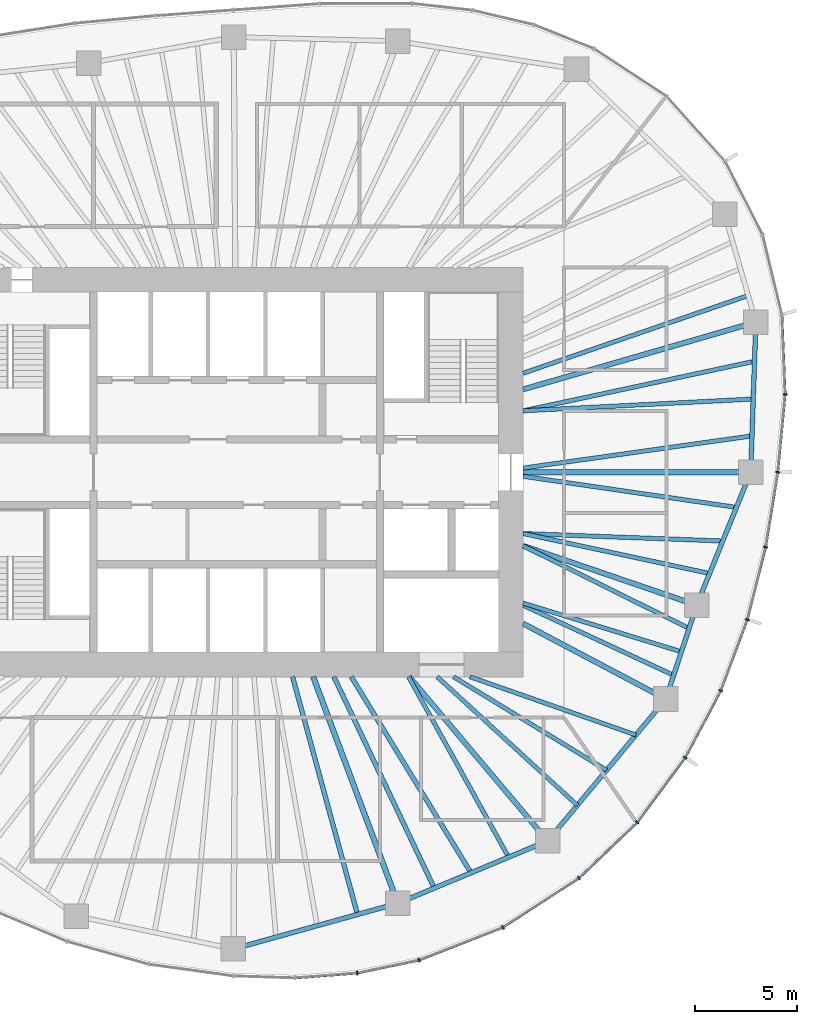
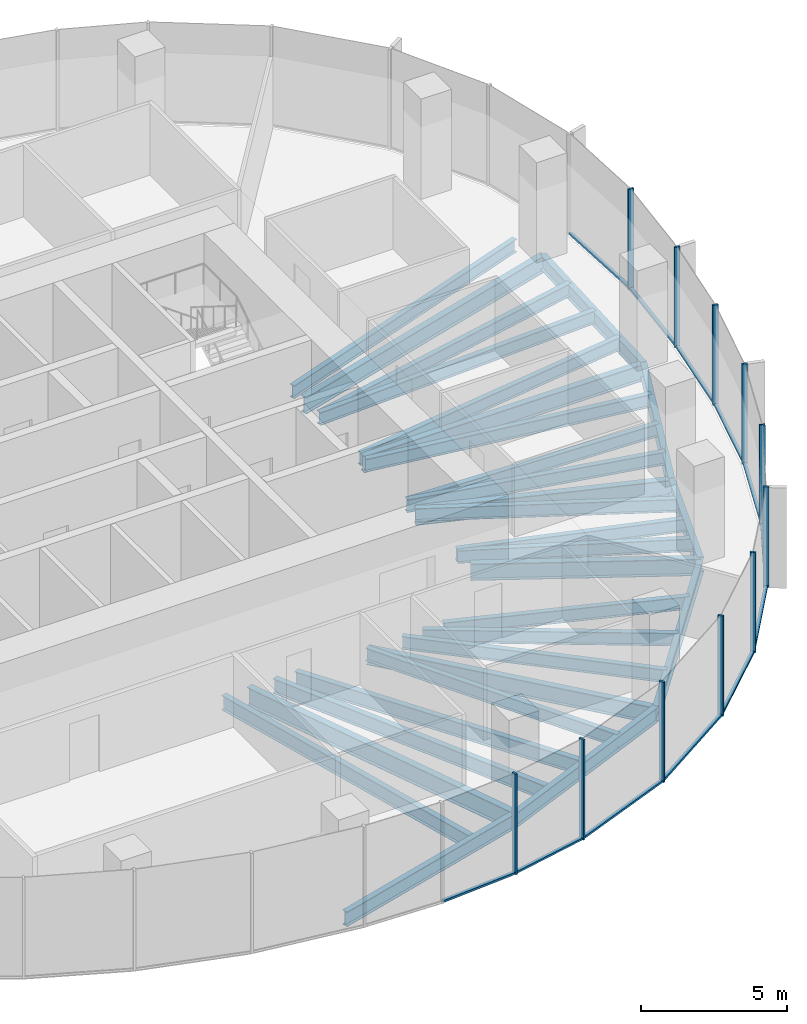
# One storey, part 4 of 11: 29 beams, 23 members, 6 elements without a shape of their own.
"""IFC4 building model written with IfcOpenShell, lengths in metres."""

from ifc_helpers import new_model, si_unit, direction, frame, origin, origin_2d, place, context, subcontext, project, spatial, rectangle, i_section, extrude, material, material_profile, profile_set, type_object, element, aggregate, save


model = new_model("IFC4")

# Units and contexts
model_context = context("Model", 3, precision=1e-05, world=origin(), true_north=direction((0.0, 1.0)))
body_context = subcontext(model_context, "Body", "Model", "MODEL_VIEW")
ifc_project = project(units=[si_unit("LENGTHUNIT", "METRE"), si_unit("AREAUNIT", "SQUARE_METRE"), si_unit("VOLUMEUNIT", "CUBIC_METRE"), si_unit("PLANEANGLEUNIT", "RADIAN"), si_unit("MASSUNIT", "GRAM", prefix="KILO")], contexts=[model_context])

# Site, building, storey
site_placement = place(None, origin())
site = spatial("IfcSite", under=ifc_project, at=site_placement, CompositionType="ELEMENT")
building_placement = place(site_placement, origin())
building = spatial("IfcBuilding", under=site, at=building_placement, Name="Ghaith Harvest Tower", CompositionType="ELEMENT")
storey_placement = place(building_placement, frame((0.0, 0.0, 241.0)))
storey = spatial("IfcBuildingStorey", under=building, at=storey_placement, Name="L53", CompositionType="ELEMENT", Elevation=241.0)

# Curtain wall, members
ifc_material_1 = material(Name="Black anodised aluminium and fritted glass", Category="aluminium")
curtain_wall_type = type_object("IfcCurtainWallType", Name="CW-H CURTAIN WALL", PredefinedType="NOTDEFINED", material=ifc_material_1)
curtain_wall_1_placement = place(storey_placement, origin())
curtain_wall_1 = element("IfcCurtainWall", 1, at=curtain_wall_1_placement, inside=storey, type_object=curtain_wall_type, Name="Curtain wall CW-H bay 01 L53", PredefinedType="NOTDEFINED")
ifc_material_2 = material(Name="Aluminium, black anodised", Category="aluminium")
ifc_material_profile_1 = material_profile(ifc_material_2, rectangle(XDim=0.080078125, YDim=0.199951171875, at=origin_2d()), Name="CW-H MULLION 80x200")
ifc_profile_set_1 = profile_set([ifc_material_profile_1], Name="Aluminium, black anodised")
member_type_1 = type_object("IfcMemberType", Name="CW-H MULLION 80x200", PredefinedType="MULLION", material=ifc_profile_set_1)
member_1_placement = place(storey_placement, frame((26.445068359375, 0.0, 0.0), z_axis=(0.0, 0.0, 1.0), x_axis=(0.126567624553, 0.991957981174, 0.0)))
member_1 = element("IfcMember", 2, at=member_1_placement, type_object=member_type_1, Name="CW-H mullion 1 bay 01 L53", PredefinedType="MULLION", context=body_context, shape_type="SweptSolid", body=[
    extrude(rectangle(XDim=0.080078125, YDim=0.199951171875, at=origin_2d()), origin(), (0.0, 0.0, 1.0), 4.199951171875),
])
member_2_placement = place(storey_placement, frame((26.804443359375, 3.7958984375, 0.0), z_axis=(0.0, 0.0, 1.0), x_axis=(0.026142797814, 0.999658218654, 0.0)))
member_2 = element("IfcMember", 3, at=member_2_placement, type_object=member_type_1, Name="CW-H mullion 2 bay 01 L53", PredefinedType="MULLION", context=body_context, shape_type="SweptSolid", body=[
    extrude(rectangle(XDim=0.080078125, YDim=0.199951171875, at=origin_2d()), origin(), (0.0, 0.0, 1.0), 4.199951171875),
])

# Curtain wall, member
curtain_wall_2_placement = place(storey_placement, origin())
curtain_wall_2 = element("IfcCurtainWall", 4, at=curtain_wall_2_placement, inside=storey, type_object=curtain_wall_type, Name="Curtain wall CW-H bay 16 L53", PredefinedType="NOTDEFINED")
member_3_placement = place(storey_placement, frame((5.893310546875, -24.48291015625, 0.0), z_axis=(0.0, 0.0, 1.0), x_axis=(0.989849191496, 0.142121701704, 0.0)))
member_3 = element("IfcMember", 5, at=member_3_placement, type_object=member_type_1, Name="CW-H mullion 3 bay 16 L53", PredefinedType="MULLION", context=body_context, shape_type="SweptSolid", body=[
    extrude(rectangle(XDim=0.080078125, YDim=0.199951171875, at=origin_2d()), origin(), (0.0, 0.0, 1.0), 4.199951171875),
])

# Curtain wall, members
curtain_wall_3_placement = place(storey_placement, origin())
curtain_wall_3 = element("IfcCurtainWall", 6, at=curtain_wall_3_placement, inside=storey, type_object=curtain_wall_type, Name="Curtain wall CW-H bay 17 L53", PredefinedType="NOTDEFINED")
member_4_placement = place(storey_placement, frame((8.916015625, -23.85009765625, 0.0), z_axis=(0.0, 0.0, 1.0), x_axis=(0.954029934434, 0.299711334793, 0.0)))
member_4 = element("IfcMember", 7, at=member_4_placement, type_object=member_type_1, Name="CW-H mullion 1 bay 17 L53", PredefinedType="MULLION", context=body_context, shape_type="SweptSolid", body=[
    extrude(rectangle(XDim=0.080078125, YDim=0.199951171875, at=origin_2d()), origin(), (0.0, 0.0, 1.0), 4.199951171875),
])
member_5_placement = place(storey_placement, frame((13.010009765625, -22.2470703125, 0.0), z_axis=(0.0, 0.0, 1.0), x_axis=(0.889568363425, 0.456802065225, 0.0)))
member_5 = element("IfcMember", 8, at=member_5_placement, type_object=member_type_1, Name="CW-H mullion 2 bay 17 L53", PredefinedType="MULLION", context=body_context, shape_type="SweptSolid", body=[
    extrude(rectangle(XDim=0.080078125, YDim=0.199951171875, at=origin_2d()), origin(), (0.0, 0.0, 1.0), 4.199951171875),
])

curtain_wall_4_placement = place(storey_placement, origin())
curtain_wall_4 = element("IfcCurtainWall", 9, at=curtain_wall_4_placement, inside=storey, type_object=curtain_wall_type, Name="Curtain wall CW-H bay 18 L53", PredefinedType="NOTDEFINED")
member_6_placement = place(storey_placement, frame((16.72900390625, -19.838134765625, 0.0), z_axis=(0.0, 0.0, 1.0), x_axis=(0.78784554071, 0.615872879727, 0.0)))
member_6 = element("IfcMember", 10, at=member_6_placement, type_object=member_type_1, Name="CW-H mullion 1 bay 18 L53", PredefinedType="MULLION", context=body_context, shape_type="SweptSolid", body=[
    extrude(rectangle(XDim=0.080078125, YDim=0.199951171875, at=origin_2d()), origin(), (0.0, 0.0, 1.0), 4.199951171875),
])
member_7_placement = place(storey_placement, frame((19.57421875, -17.11572265625, 0.0), z_axis=(0.0, 0.0, 1.0), x_axis=(0.661614965695, 0.749843741835, 0.0)))
member_7 = element("IfcMember", 11, at=member_7_placement, type_object=member_type_1, Name="CW-H mullion 2 bay 18 L53", PredefinedType="MULLION", context=body_context, shape_type="SweptSolid", body=[
    extrude(rectangle(XDim=0.080078125, YDim=0.199951171875, at=origin_2d()), origin(), (0.0, 0.0, 1.0), 4.199951171875),
])

curtain_wall_5_placement = place(storey_placement, origin())
curtain_wall_5 = element("IfcCurtainWall", 12, at=curtain_wall_5_placement, inside=storey, type_object=curtain_wall_type, Name="Curtain wall CW-H bay 19 L53", PredefinedType="NOTDEFINED")
member_8_placement = place(storey_placement, frame((21.922607421875, -13.951904296875, 0.0), z_axis=(0.0, 0.0, 1.0), x_axis=(0.535827198032, 0.844327669717, 0.0)))
member_8 = element("IfcMember", 13, at=member_8_placement, type_object=member_type_1, Name="CW-H mullion 1 bay 19 L53", PredefinedType="MULLION", context=body_context, shape_type="SweptSolid", body=[
    extrude(rectangle(XDim=0.080078125, YDim=0.199951171875, at=origin_2d()), origin(), (0.0, 0.0, 1.0), 4.199951171875),
])
member_9_placement = place(storey_placement, frame((23.658203125, -10.680419921875, 0.0), z_axis=(0.0, 0.0, 1.0), x_axis=(0.410429862351, 0.911892169114, 0.0)))
member_9 = element("IfcMember", 14, at=member_9_placement, type_object=member_type_1, Name="CW-H mullion 2 bay 19 L53", PredefinedType="MULLION", context=body_context, shape_type="SweptSolid", body=[
    extrude(rectangle(XDim=0.080078125, YDim=0.199951171875, at=origin_2d()), origin(), (0.0, 0.0, 1.0), 4.199951171875),
])

curtain_wall_6_placement = place(storey_placement, origin())
curtain_wall_6 = element("IfcCurtainWall", 15, at=curtain_wall_6_placement, inside=storey, type_object=curtain_wall_type, Name="Curtain wall CW-H bay 20 L53", PredefinedType="NOTDEFINED")
member_10_placement = place(storey_placement, frame((24.955810546875, -7.212890625, 0.0), z_axis=(0.0, 0.0, 1.0), x_axis=(0.298441625478, 0.954427889462, 0.0)))
member_10 = element("IfcMember", 16, at=member_10_placement, type_object=member_type_1, Name="CW-H mullion 1 bay 20 L53", PredefinedType="MULLION", context=body_context, shape_type="SweptSolid", body=[
    extrude(rectangle(XDim=0.080078125, YDim=0.199951171875, at=origin_2d()), origin(), (0.0, 0.0, 1.0), 4.199951171875),
])
member_11_placement = place(storey_placement, frame((25.85302734375, -3.6611328125, 0.0), z_axis=(0.0, 0.0, 1.0), x_axis=(0.202192370647, 0.979345825157, 0.0)))
member_11 = element("IfcMember", 17, at=member_11_placement, type_object=member_type_1, Name="CW-H mullion 2 bay 20 L53", PredefinedType="MULLION", context=body_context, shape_type="SweptSolid", body=[
    extrude(rectangle(XDim=0.080078125, YDim=0.199951171875, at=origin_2d()), origin(), (0.0, 0.0, 1.0), 4.199951171875),
])

# Member
ifc_material_3 = material(Name="Aluminium, black anodised", Category="aluminium")
ifc_material_profile_2 = material_profile(ifc_material_3, rectangle(XDim=0.1298828125, YDim=0.080078125, at=origin_2d()), Name="CW-H TRANSOM 130x80")
ifc_profile_set_2 = profile_set([ifc_material_profile_2], Name="Aluminium, black anodised")
member_type_2 = type_object("IfcMemberType", Name="CW-H TRANSOM 130x80", PredefinedType="USERDEFINED", material=ifc_profile_set_2)
member_12_placement = place(storey_placement, frame((26.44873046875, 0.039794921875, 0.0400390625), z_axis=(0.094309089207, 0.995542965267, 0.0), x_axis=(-0.995542965267, 0.094309089207, 0.0)))
member_12 = element("IfcMember", 18, at=member_12_placement, type_object=member_type_2, Name="CW-H transom 1 bay 01 L53", ObjectType="TRANSOM", PredefinedType="USERDEFINED", context=body_context, shape_type="SweptSolid", body=[
    extrude(rectangle(XDim=0.1298828125, YDim=0.080078125, at=origin_2d()), origin(), (0.0, 0.0, 1.0), 3.73291015625),
])

member_13_placement = place(storey_placement, frame((26.802978515625, 3.8359375, 0.0400390625), z_axis=(-0.040492641284, 0.999179836667, 0.0), x_axis=(-0.999179836667, -0.040492641284, 0.0)))
member_13 = element("IfcMember", 19, at=member_13_placement, type_object=member_type_2, Name="CW-H transom 2 bay 01 L53", ObjectType="TRANSOM", PredefinedType="USERDEFINED", context=body_context, shape_type="SweptSolid", body=[
    extrude(rectangle(XDim=0.1298828125, YDim=0.080078125, at=origin_2d()), origin(), (0.0, 0.0, 1.0), 3.82861328125),
])

aggregate(curtain_wall_1, [member_1, member_12, member_2, member_13])

member_14_placement = place(storey_placement, frame((2.8876953125, -24.71826171875, 0.0400390625), z_axis=(0.996949781933, 0.078045706505, 0.0), x_axis=(-0.078045706505, 0.996949781933, 0.0)))
member_14 = element("IfcMember", 20, at=member_14_placement, type_object=member_type_2, Name="CW-H transom 2 bay 16 L53", ObjectType="TRANSOM", PredefinedType="USERDEFINED", context=body_context, shape_type="SweptSolid", body=[
    extrude(rectangle(XDim=0.1298828125, YDim=0.080078125, at=origin_2d()), origin(), (0.0, 0.0, 1.0), 2.974853515625),
])

member_15_placement = place(storey_placement, frame((5.932373046875, -24.474609375, 0.0400390625), z_axis=(0.978797058213, 0.204832416461, 0.0), x_axis=(-0.204832416461, 0.978797058213, 0.0)))
member_15 = element("IfcMember", 21, at=member_15_placement, type_object=member_type_2, Name="CW-H transom 3 bay 16 L53", ObjectType="TRANSOM", PredefinedType="USERDEFINED", context=body_context, shape_type="SweptSolid", body=[
    extrude(rectangle(XDim=0.1298828125, YDim=0.080078125, at=origin_2d()), origin(), (0.0, 0.0, 1.0), 3.00830078125),
])

aggregate(curtain_wall_2, [member_14, member_3, member_15])

member_16_placement = place(storey_placement, frame((8.953369140625, -23.835693359375, 0.0400390625), z_axis=(0.931147615871, 0.364642451529, 0.0), x_axis=(-0.364642451529, 0.931147615871, 0.0)))
member_16 = element("IfcMember", 22, at=member_16_placement, type_object=member_type_2, Name="CW-H transom 1 bay 17 L53", ObjectType="TRANSOM", PredefinedType="USERDEFINED", context=body_context, shape_type="SweptSolid", body=[
    extrude(rectangle(XDim=0.1298828125, YDim=0.080078125, at=origin_2d()), origin(), (0.0, 0.0, 1.0), 4.31640625),
])

member_17_placement = place(storey_placement, frame((13.04345703125, -22.225341796875, 0.0400390625), z_axis=(0.839306610985, 0.543658360331, 0.0), x_axis=(-0.543658360331, 0.839306610985, 0.0)))
member_17 = element("IfcMember", 23, at=member_17_placement, type_object=member_type_2, Name="CW-H transom 2 bay 17 L53", ObjectType="TRANSOM", PredefinedType="USERDEFINED", context=body_context, shape_type="SweptSolid", body=[
    extrude(rectangle(XDim=0.1298828125, YDim=0.080078125, at=origin_2d()), origin(), (0.0, 0.0, 1.0), 4.35107421875),
])

aggregate(curtain_wall_3, [member_4, member_16, member_5, member_17])

member_18_placement = place(storey_placement, frame((16.7578125, -19.810546875, 0.0400390625), z_axis=(0.722533278657, 0.691336141998, 0.0), x_axis=(-0.691336141998, 0.722533278657, 0.0)))
member_18 = element("IfcMember", 24, at=member_18_placement, type_object=member_type_2, Name="CW-H transom 1 bay 18 L53", ObjectType="TRANSOM", PredefinedType="USERDEFINED", context=body_context, shape_type="SweptSolid", body=[
    extrude(rectangle(XDim=0.1298828125, YDim=0.080078125, at=origin_2d()), origin(), (0.0, 0.0, 1.0), 3.858154296875),
])

member_19_placement = place(storey_placement, frame((19.59814453125, -17.083740234375, 0.0400390625), z_axis=(0.595995597074, 0.802987701194, 0.0), x_axis=(-0.802987701194, 0.595995597074, 0.0)))
member_19 = element("IfcMember", 25, at=member_19_placement, type_object=member_type_2, Name="CW-H transom 2 bay 18 L53", ObjectType="TRANSOM", PredefinedType="USERDEFINED", context=body_context, shape_type="SweptSolid", body=[
    extrude(rectangle(XDim=0.1298828125, YDim=0.080078125, at=origin_2d()), origin(), (0.0, 0.0, 1.0), 3.8603515625),
])

aggregate(curtain_wall_4, [member_6, member_18, member_7, member_19])

member_20_placement = place(storey_placement, frame((21.94140625, -13.91650390625, 0.0400390625), z_axis=(0.468646057757, 0.883386026915, 0.0), x_axis=(-0.883386026915, 0.468646057757, 0.0)))
member_20 = element("IfcMember", 26, at=member_20_placement, type_object=member_type_2, Name="CW-H transom 1 bay 19 L53", ObjectType="TRANSOM", PredefinedType="USERDEFINED", context=body_context, shape_type="SweptSolid", body=[
    extrude(rectangle(XDim=0.1298828125, YDim=0.080078125, at=origin_2d()), origin(), (0.0, 0.0, 1.0), 3.623291015625),
])

member_21_placement = place(storey_placement, frame((23.672119140625, -10.64306640625, 0.0400390625), z_axis=(0.350510368091, 0.936558851253, 0.0), x_axis=(-0.936558851253, 0.350510368091, 0.0)))
member_21 = element("IfcMember", 27, at=member_21_placement, type_object=member_type_2, Name="CW-H transom 2 bay 19 L53", ObjectType="TRANSOM", PredefinedType="USERDEFINED", context=body_context, shape_type="SweptSolid", body=[
    extrude(rectangle(XDim=0.1298828125, YDim=0.080078125, at=origin_2d()), origin(), (0.0, 0.0, 1.0), 3.62255859375),
])

aggregate(curtain_wall_5, [member_8, member_20, member_9, member_21])

member_22_placement = place(storey_placement, frame((24.965576171875, -7.174072265625, 0.0400390625), z_axis=(0.244939588347, 0.969538342749, 0.0), x_axis=(-0.969538342749, 0.244939588347, 0.0)))
member_22 = element("IfcMember", 28, at=member_22_placement, type_object=member_type_2, Name="CW-H transom 1 bay 20 L53", ObjectType="TRANSOM", PredefinedType="USERDEFINED", context=body_context, shape_type="SweptSolid", body=[
    extrude(rectangle(XDim=0.1298828125, YDim=0.080078125, at=origin_2d()), origin(), (0.0, 0.0, 1.0), 3.583251953125),
])

member_23_placement = place(storey_placement, frame((25.859375, -3.62158203125, 0.0400390625), z_axis=(0.159661845696, 0.987171765717, 0.0), x_axis=(-0.987171765717, 0.159661845696, 0.0)))
member_23 = element("IfcMember", 29, at=member_23_placement, type_object=member_type_2, Name="CW-H transom 2 bay 20 L53", ObjectType="TRANSOM", PredefinedType="USERDEFINED", context=body_context, shape_type="SweptSolid", body=[
    extrude(rectangle(XDim=0.1298828125, YDim=0.080078125, at=origin_2d()), origin(), (0.0, 0.0, 1.0), 3.628662109375),
])

aggregate(curtain_wall_6, [member_10, member_22, member_11, member_23])

# Beams
ifc_material_4 = material(Name="Steel ASTM A992 Grade 50", Category="steel")
ifc_material_profile_3 = material_profile(ifc_material_4, i_section(OverallWidth=0.22900390625, OverallDepth=0.612060546875, WebThickness=0.011962890625, FlangeThickness=0.01953125, at=origin_2d()), Name="W610X125")
ifc_profile_set_3 = profile_set([ifc_material_profile_3], Name="Steel ASTM A992 Grade 50")
beam_type_1 = type_object("IfcBeamType", Name="E610-125 W610X125", PredefinedType="SPANDREL", material=ifc_profile_set_3)
beam_1_placement = place(storey_placement, frame((25.125, 0.0, -0.47607421875), z_axis=(0.03446227584, 0.999405999354, 0.0), x_axis=(-0.999405999354, 0.03446227584, 0.0)))
element("IfcBeam", 30, at=beam_1_placement, inside=storey, type_object=beam_type_1, Name="Edge beam E01 L53", PredefinedType="SPANDREL", context=body_context, shape_type="SweptSolid", body=[
    extrude(i_section(OverallWidth=0.22900390625, OverallDepth=0.612060546875, WebThickness=0.011962890625, FlangeThickness=0.01953125, at=origin_2d()), origin(), (0.0, 0.0, 1.0), 7.33935546875),
])
beam_2_placement = place(storey_placement, frame((-0.158935546875, -23.304931640625, -0.47607421875), z_axis=(0.963504070594, 0.267693679323, 0.0), x_axis=(-0.267693679323, 0.963504070594, 0.0)))
element("IfcBeam", 31, at=beam_2_placement, inside=storey, type_object=beam_type_1, Name="Edge beam E16 L53", PredefinedType="SPANDREL", context=body_context, shape_type="SweptSolid", body=[
    extrude(i_section(OverallWidth=0.22900390625, OverallDepth=0.612060546875, WebThickness=0.011962890625, FlangeThickness=0.01953125, at=origin_2d()), origin(), (0.0, 0.0, 1.0), 8.34130859375),
])
beam_3_placement = place(storey_placement, frame((7.8779296875, -21.072021484375, -0.47607421875), z_axis=(0.923119729219, 0.384512633766, 0.0), x_axis=(-0.384512633766, 0.923119729219, 0.0)))
element("IfcBeam", 32, at=beam_3_placement, inside=storey, type_object=beam_type_1, Name="Edge beam E17 L53", PredefinedType="SPANDREL", context=body_context, shape_type="SweptSolid", body=[
    extrude(i_section(OverallWidth=0.22900390625, OverallDepth=0.612060546875, WebThickness=0.011962890625, FlangeThickness=0.01953125, at=origin_2d()), origin(), (0.0, 0.0, 1.0), 7.9296875),
])
beam_4_placement = place(storey_placement, frame((15.197998046875, -18.02294921875, -0.47607421875), z_axis=(0.640173759088, 0.76823014662, 0.0), x_axis=(-0.76823014662, 0.640173759088, 0.0)))
element("IfcBeam", 33, at=beam_4_placement, inside=storey, type_object=beam_type_1, Name="Edge beam E18 L53", PredefinedType="SPANDREL", context=body_context, shape_type="SweptSolid", body=[
    extrude(i_section(OverallWidth=0.22900390625, OverallDepth=0.612060546875, WebThickness=0.011962890625, FlangeThickness=0.01953125, at=origin_2d()), origin(), (0.0, 0.0, 1.0), 9.02734375),
])
beam_5_placement = place(storey_placement, frame((20.97705078125, -11.087890625, -0.47607421875), z_axis=(0.312206727278, 0.950014189074, 0.0), x_axis=(-0.950014189074, 0.312206727278, 0.0)))
element("IfcBeam", 34, at=beam_5_placement, inside=storey, type_object=beam_type_1, Name="Edge beam E19 L53", PredefinedType="SPANDREL", context=body_context, shape_type="SweptSolid", body=[
    extrude(i_section(OverallWidth=0.22900390625, OverallDepth=0.612060546875, WebThickness=0.011962890625, FlangeThickness=0.01953125, at=origin_2d()), origin(), (0.0, 0.0, 1.0), 4.830322265625),
])
beam_6_placement = place(storey_placement, frame((22.485107421875, -6.4990234375, -0.47607421875), z_axis=(0.376335970246, 0.926483263475, 0.0), x_axis=(-0.926483263475, 0.376335970246, 0.0)))
element("IfcBeam", 35, at=beam_6_placement, inside=storey, type_object=beam_type_1, Name="Edge beam E20 L53", PredefinedType="SPANDREL", context=body_context, shape_type="SweptSolid", body=[
    extrude(i_section(OverallWidth=0.22900390625, OverallDepth=0.612060546875, WebThickness=0.011962890625, FlangeThickness=0.01953125, at=origin_2d()), origin(), (0.0, 0.0, 1.0), 7.0146484375),
])
ifc_material_5 = material(Name="Steel ASTM A992 Grade 50", Category="steel")
ifc_material_profile_4 = material_profile(ifc_material_5, i_section(OverallWidth=0.256103515625, OverallDepth=0.693115234375, WebThickness=0.014404296875, FlangeThickness=0.023681640625, at=origin_2d()), Name="W690X170")
ifc_profile_set_4 = profile_set([ifc_material_profile_4], Name="Steel ASTM A992 Grade 50")
beam_type_2 = type_object("IfcBeamType", Name="G690-170 W690X170", PredefinedType="BEAM", material=ifc_profile_set_4)
beam_7_placement = place(storey_placement, frame((14.0, 0.0, -0.5166015625), z_axis=(1.0, 0.0, 0.0), x_axis=(0.0, 1.0, 0.0)))
element("IfcBeam", 36, at=beam_7_placement, inside=storey, type_object=beam_type_2, Name="Radial girder G01 L53", PredefinedType="BEAM", context=body_context, shape_type="SweptSolid", body=[
    extrude(i_section(OverallWidth=0.256103515625, OverallDepth=0.693115234375, WebThickness=0.014404296875, FlangeThickness=0.023681640625, at=origin_2d()), origin(), (0.0, 0.0, 1.0), 11.125),
])
beam_8_placement = place(storey_placement, frame((14.0, 4.04638671875, -0.5166015625), z_axis=(0.960677776578, 0.277665643518, 0.0), x_axis=(-0.277665643518, 0.960677776578, 0.0)))
element("IfcBeam", 37, at=beam_8_placement, inside=storey, type_object=beam_type_2, Name="Radial girder G02 L53", PredefinedType="BEAM", context=body_context, shape_type="SweptSolid", body=[
    extrude(i_section(OverallWidth=0.256103515625, OverallDepth=0.693115234375, WebThickness=0.014404296875, FlangeThickness=0.023681640625, at=origin_2d()), origin(), (0.0, 0.0, 1.0), 11.84375),
])
beam_9_placement = place(storey_placement, frame((8.4326171875, -10.0, -0.5166015625), z_axis=(0.644649240595, -0.764478486682, 0.0), x_axis=(0.764478486682, 0.644649240595, 0.0)))
element("IfcBeam", 38, at=beam_9_placement, inside=storey, type_object=beam_type_2, Name="Radial girder G18 L53", PredefinedType="BEAM", context=body_context, shape_type="SweptSolid", body=[
    extrude(i_section(OverallWidth=0.256103515625, OverallDepth=0.693115234375, WebThickness=0.014404296875, FlangeThickness=0.023681640625, at=origin_2d()), origin(), (0.0, 0.0, 1.0), 10.49462890625),
])
beam_10_placement = place(storey_placement, frame((14.0, -7.39990234375, -0.5166015625), z_axis=(0.884088732293, -0.467319070264, 0.0), x_axis=(0.467319070264, 0.884088732293, 0.0)))
element("IfcBeam", 39, at=beam_10_placement, inside=storey, type_object=beam_type_2, Name="Radial girder G19 L53", PredefinedType="BEAM", context=body_context, shape_type="SweptSolid", body=[
    extrude(i_section(OverallWidth=0.256103515625, OverallDepth=0.693115234375, WebThickness=0.014404296875, FlangeThickness=0.023681640625, at=origin_2d()), origin(), (0.0, 0.0, 1.0), 7.891845703125),
])
beam_11_placement = place(storey_placement, frame((14.0, -3.60009765625, -0.5166015625), z_axis=(0.94629622913, -0.323300861018, 0.0), x_axis=(0.323300861018, 0.94629622913, 0.0)))
element("IfcBeam", 40, at=beam_11_placement, inside=storey, type_object=beam_type_2, Name="Radial girder G20 L53", PredefinedType="BEAM", context=body_context, shape_type="SweptSolid", body=[
    extrude(i_section(OverallWidth=0.256103515625, OverallDepth=0.693115234375, WebThickness=0.014404296875, FlangeThickness=0.023681640625, at=origin_2d()), origin(), (0.0, 0.0, 1.0), 8.966552734375),
])
ifc_material_6 = material(Name="Steel ASTM A992 Grade 50", Category="steel")
ifc_material_profile_5 = material_profile(ifc_material_6, i_section(OverallWidth=0.26806640625, OverallDepth=0.77001953125, WebThickness=0.015625, FlangeThickness=0.025390625, at=origin_2d()), Name="W760X196")
ifc_profile_set_5 = profile_set([ifc_material_profile_5], Name="Steel ASTM A992 Grade 50")
beam_type_3 = type_object("IfcBeamType", Name="G760-196 W760X196", PredefinedType="BEAM", material=ifc_profile_set_5)
beam_12_placement = place(storey_placement, frame((3.73828125, -10.0, -0.554931640625), z_axis=(0.350206582147, -0.936672488024, 0.0), x_axis=(0.936672488024, 0.350206582147, 0.0)))
element("IfcBeam", 41, at=beam_12_placement, inside=storey, type_object=beam_type_3, Name="Radial girder G17 L53", PredefinedType="BEAM", context=body_context, shape_type="SweptSolid", body=[
    extrude(i_section(OverallWidth=0.26806640625, OverallDepth=0.77001953125, WebThickness=0.015625, FlangeThickness=0.025390625, at=origin_2d()), origin(), (0.0, 0.0, 1.0), 11.820556640625),
])
ifc_material_7 = material(Name="Steel ASTM A992 Grade 50", Category="steel")
ifc_material_profile_6 = material_profile(ifc_material_7, i_section(OverallWidth=0.2109375, OverallDepth=0.5390625, WebThickness=0.01171875, FlangeThickness=0.018798828125, at=origin_2d()), Name="W530X109")
ifc_profile_set_6 = profile_set([ifc_material_profile_6], Name="Steel ASTM A992 Grade 50")
beam_type_4 = type_object("IfcBeamType", Name="J530-109 W530X109", PredefinedType="JOIST", material=ifc_profile_set_6)
beam_13_placement = place(storey_placement, frame((14.0, 0.199951171875, -0.439453125), z_axis=(0.990239574724, 0.139375696052, 0.0), x_axis=(-0.139375696052, 0.990239574724, 0.0)))
element("IfcBeam", 42, at=beam_13_placement, inside=storey, type_object=beam_type_4, Name="Joist J01.1 L53", PredefinedType="JOIST", context=body_context, shape_type="SweptSolid", body=[
    extrude(i_section(OverallWidth=0.2109375, OverallDepth=0.5390625, WebThickness=0.01171875, FlangeThickness=0.018798828125, at=origin_2d()), origin(), (0.0, 0.0, 1.0), 11.296630859375),
])
beam_14_placement = place(storey_placement, frame((14.0, 3.0, -0.439453125), z_axis=(0.998693995267, 0.051091132482, 0.0), x_axis=(-0.051091132482, 0.998693995267, 0.0)))
element("IfcBeam", 43, at=beam_14_placement, inside=storey, type_object=beam_type_4, Name="Joist J01.2 L53", PredefinedType="JOIST", context=body_context, shape_type="SweptSolid", body=[
    extrude(i_section(OverallWidth=0.2109375, OverallDepth=0.5390625, WebThickness=0.01171875, FlangeThickness=0.018798828125, at=origin_2d()), origin(), (0.0, 0.0, 1.0), 11.262939453125),
])
beam_15_placement = place(storey_placement, frame((14.0, 3.0, -0.439453125), z_axis=(0.977840076912, 0.209353251672, 0.0), x_axis=(-0.209353251672, 0.977840076912, 0.0)))
element("IfcBeam", 44, at=beam_15_placement, inside=storey, type_object=beam_type_4, Name="Joist J01.3 L53", PredefinedType="JOIST", context=body_context, shape_type="SweptSolid", body=[
    extrude(i_section(OverallWidth=0.2109375, OverallDepth=0.5390625, WebThickness=0.01171875, FlangeThickness=0.018798828125, at=origin_2d()), origin(), (0.0, 0.0, 1.0), 11.568359375),
])
beam_16_placement = place(storey_placement, frame((14.0, 4.835693359375, -0.439453125), z_axis=(0.945202328042, 0.326485159025, 0.0), x_axis=(-0.326485159025, 0.945202328042, 0.0)))
element("IfcBeam", 45, at=beam_16_placement, inside=storey, type_object=beam_type_4, Name="Joist J02.1 L53", PredefinedType="JOIST", context=body_context, shape_type="SweptSolid", body=[
    extrude(i_section(OverallWidth=0.2109375, OverallDepth=0.5390625, WebThickness=0.01171875, FlangeThickness=0.018798828125, at=origin_2d()), origin(), (0.0, 0.0, 1.0), 11.63916015625),
])
beam_17_placement = place(storey_placement, frame((8.39990234375, -10.0, -0.439453125), z_axis=(0.484919107871, -0.874559008199, 0.0), x_axis=(0.874559008199, 0.484919107871, 0.0)))
element("IfcBeam", 46, at=beam_17_placement, inside=storey, type_object=beam_type_4, Name="Joist J17.3 L53", PredefinedType="JOIST", context=body_context, shape_type="SweptSolid", body=[
    extrude(i_section(OverallWidth=0.2109375, OverallDepth=0.5390625, WebThickness=0.01171875, FlangeThickness=0.018798828125, at=origin_2d()), origin(), (0.0, 0.0, 1.0), 10.0830078125),
])
beam_18_placement = place(storey_placement, frame((9.800048828125, -10.0, -0.439453125), z_axis=(0.736998187228, -0.675894719629, 0.0), x_axis=(0.675894719629, 0.736998187228, 0.0)))
element("IfcBeam", 47, at=beam_18_placement, inside=storey, type_object=beam_type_4, Name="Joist J18.1 L53", PredefinedType="JOIST", context=body_context, shape_type="SweptSolid", body=[
    extrude(i_section(OverallWidth=0.2109375, OverallDepth=0.5390625, WebThickness=0.01171875, FlangeThickness=0.018798828125, at=origin_2d()), origin(), (0.0, 0.0, 1.0), 9.293701171875),
])
beam_19_placement = place(storey_placement, frame((14.0, -3.0, -0.439453125), z_axis=(0.977841497168, -0.209346617877, 0.0), x_axis=(0.209346617877, 0.977841497168, 0.0)))
element("IfcBeam", 48, at=beam_19_placement, inside=storey, type_object=beam_type_4, Name="Joist J20.1 L53", PredefinedType="JOIST", context=body_context, shape_type="SweptSolid", body=[
    extrude(i_section(OverallWidth=0.2109375, OverallDepth=0.5390625, WebThickness=0.01171875, FlangeThickness=0.018798828125, at=origin_2d()), origin(), (0.0, 0.0, 1.0), 9.3203125),
])
beam_20_placement = place(storey_placement, frame((14.0, -3.0, -0.439453125), z_axis=(0.999303105315, -0.037326983644, 0.0), x_axis=(0.037326983644, 0.999303105315, 0.0)))
element("IfcBeam", 49, at=beam_20_placement, inside=storey, type_object=beam_type_4, Name="Joist J20.2 L53", PredefinedType="JOIST", context=body_context, shape_type="SweptSolid", body=[
    extrude(i_section(OverallWidth=0.2109375, OverallDepth=0.5390625, WebThickness=0.01171875, FlangeThickness=0.018798828125, at=origin_2d()), origin(), (0.0, 0.0, 1.0), 9.76513671875),
])
beam_21_placement = place(storey_placement, frame((14.0, -0.199951171875, -0.439453125), z_axis=(0.989525259022, -0.144359834294, 0.0), x_axis=(0.144359834294, 0.989525259022, 0.0)))
element("IfcBeam", 50, at=beam_21_placement, inside=storey, type_object=beam_type_4, Name="Joist J20.3 L53", PredefinedType="JOIST", context=body_context, shape_type="SweptSolid", body=[
    extrude(i_section(OverallWidth=0.2109375, OverallDepth=0.5390625, WebThickness=0.01171875, FlangeThickness=0.018798828125, at=origin_2d()), origin(), (0.0, 0.0, 1.0), 10.5361328125),
])
ifc_material_8 = material(Name="Steel ASTM A992 Grade 50", Category="steel")
ifc_material_profile_7 = material_profile(ifc_material_8, i_section(OverallWidth=0.208984375, OverallDepth=0.532958984375, WebThickness=0.01025390625, FlangeThickness=0.015625, at=origin_2d()), Name="W530X92")
ifc_profile_set_7 = profile_set([ifc_material_profile_7], Name="Steel ASTM A992 Grade 50")
beam_type_5 = type_object("IfcBeamType", Name="J530-92 W530X92", PredefinedType="JOIST", material=ifc_profile_set_7)
beam_22_placement = place(storey_placement, frame((10.60009765625, -10.0, -0.4365234375), z_axis=(0.853467052113, -0.521146803654, 0.0), x_axis=(0.521146803654, 0.853467052113, 0.0)))
element("IfcBeam", 51, at=beam_22_placement, inside=storey, type_object=beam_type_5, Name="Joist J18.2 L53", PredefinedType="JOIST", context=body_context, shape_type="SweptSolid", body=[
    extrude(i_section(OverallWidth=0.208984375, OverallDepth=0.532958984375, WebThickness=0.01025390625, FlangeThickness=0.015625, at=origin_2d()), origin(), (0.0, 0.0, 1.0), 8.76220703125),
])
beam_23_placement = place(storey_placement, frame((11.39990234375, -10.0, -0.4365234375), z_axis=(0.943605274188, -0.331072630285, 0.0), x_axis=(0.331072630285, 0.943605274188, 0.0)))
element("IfcBeam", 52, at=beam_23_placement, inside=storey, type_object=beam_type_5, Name="Joist J18.3 L53", PredefinedType="JOIST", context=body_context, shape_type="SweptSolid", body=[
    extrude(i_section(OverallWidth=0.208984375, OverallDepth=0.532958984375, WebThickness=0.01025390625, FlangeThickness=0.015625, at=origin_2d()), origin(), (0.0, 0.0, 1.0), 8.596923828125),
])
beam_24_placement = place(storey_placement, frame((14.0, -6.506103515625, -0.4365234375), z_axis=(0.906865270415, -0.421420670251, 0.0), x_axis=(0.421420670251, 0.906865270415, 0.0)))
element("IfcBeam", 53, at=beam_24_placement, inside=storey, type_object=beam_type_5, Name="Joist J19.1 L53", PredefinedType="JOIST", context=body_context, shape_type="SweptSolid", body=[
    extrude(i_section(OverallWidth=0.208984375, OverallDepth=0.532958984375, WebThickness=0.01025390625, FlangeThickness=0.015625, at=origin_2d()), origin(), (0.0, 0.0, 1.0), 8.11474609375),
])
beam_25_placement = place(storey_placement, frame((14.0, -6.39990234375, -0.4365234375), z_axis=(0.955870927609, -0.293786946192, 0.0), x_axis=(0.293786946192, 0.955870927609, 0.0)))
element("IfcBeam", 54, at=beam_25_placement, inside=storey, type_object=beam_type_5, Name="Joist J19.2 L53", PredefinedType="JOIST", context=body_context, shape_type="SweptSolid", body=[
    extrude(i_section(OverallWidth=0.208984375, OverallDepth=0.532958984375, WebThickness=0.01025390625, FlangeThickness=0.015625, at=origin_2d()), origin(), (0.0, 0.0, 1.0), 8.09326171875),
])
beam_26_placement = place(storey_placement, frame((14.0, -3.60009765625, -0.4365234375), z_axis=(0.89523949078, -0.445585293909, 0.0), x_axis=(0.445585293909, 0.89523949078, 0.0)))
element("IfcBeam", 55, at=beam_26_placement, inside=storey, type_object=beam_type_5, Name="Joist J19.3 L53", PredefinedType="JOIST", context=body_context, shape_type="SweptSolid", body=[
    extrude(i_section(OverallWidth=0.208984375, OverallDepth=0.532958984375, WebThickness=0.01025390625, FlangeThickness=0.015625, at=origin_2d()), origin(), (0.0, 0.0, 1.0), 9.060302734375),
])
ifc_material_9 = material(Name="Steel ASTM A992 Grade 50", Category="steel")
ifc_material_profile_8 = material_profile(ifc_material_9, i_section(OverallWidth=0.22900390625, OverallDepth=0.612060546875, WebThickness=0.011962890625, FlangeThickness=0.01953125, at=origin_2d()), Name="W610X125")
ifc_profile_set_8 = profile_set([ifc_material_profile_8], Name="Steel ASTM A992 Grade 50")
beam_type_6 = type_object("IfcBeamType", Name="J610-125 W610X125", PredefinedType="JOIST", material=ifc_profile_set_8)
beam_27_placement = place(storey_placement, frame((2.73095703125, -10.0, -0.47607421875), z_axis=(0.263456947705, -0.964671154698, 0.0), x_axis=(0.964671154698, 0.263456947705, 0.0)))
element("IfcBeam", 56, at=beam_27_placement, inside=storey, type_object=beam_type_6, Name="Joist J16.3 L53", PredefinedType="JOIST", context=body_context, shape_type="SweptSolid", body=[
    extrude(i_section(OverallWidth=0.22900390625, OverallDepth=0.612060546875, WebThickness=0.011962890625, FlangeThickness=0.01953125, at=origin_2d()), origin(), (0.0, 0.0, 1.0), 12.0458984375),
])
beam_28_placement = place(storey_placement, frame((4.75, -10.0, -0.47607421875), z_axis=(0.429080762264, -0.90326612881, 0.0), x_axis=(0.90326612881, 0.429080762264, 0.0)))
element("IfcBeam", 57, at=beam_28_placement, inside=storey, type_object=beam_type_6, Name="Joist J17.1 L53", PredefinedType="JOIST", context=body_context, shape_type="SweptSolid", body=[
    extrude(i_section(OverallWidth=0.22900390625, OverallDepth=0.612060546875, WebThickness=0.011962890625, FlangeThickness=0.01953125, at=origin_2d()), origin(), (0.0, 0.0, 1.0), 11.437255859375),
])
beam_29_placement = place(storey_placement, frame((5.60009765625, -10.0, -0.47607421875), z_axis=(0.521165912119, -0.853455383746, 0.0), x_axis=(0.853455383746, 0.521165912119, 0.0)))
element("IfcBeam", 58, at=beam_29_placement, inside=storey, type_object=beam_type_6, Name="Joist J17.2 L53", PredefinedType="JOIST", context=body_context, shape_type="SweptSolid", body=[
    extrude(i_section(OverallWidth=0.22900390625, OverallDepth=0.612060546875, WebThickness=0.011962890625, FlangeThickness=0.01953125, at=origin_2d()), origin(), (0.0, 0.0, 1.0), 11.228759765625),
])

save(model, "model.ifc")
